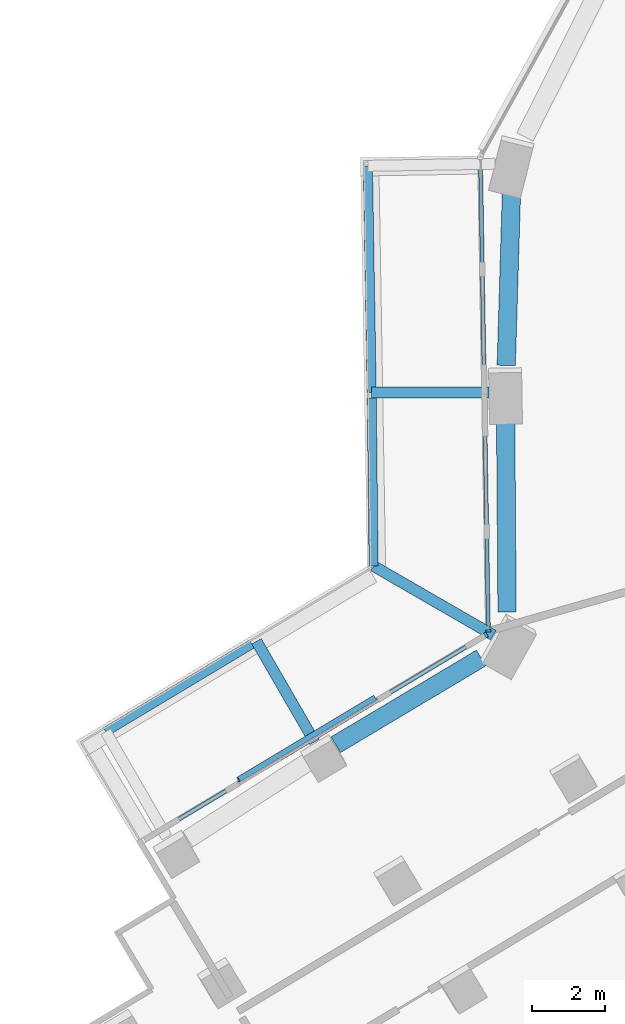
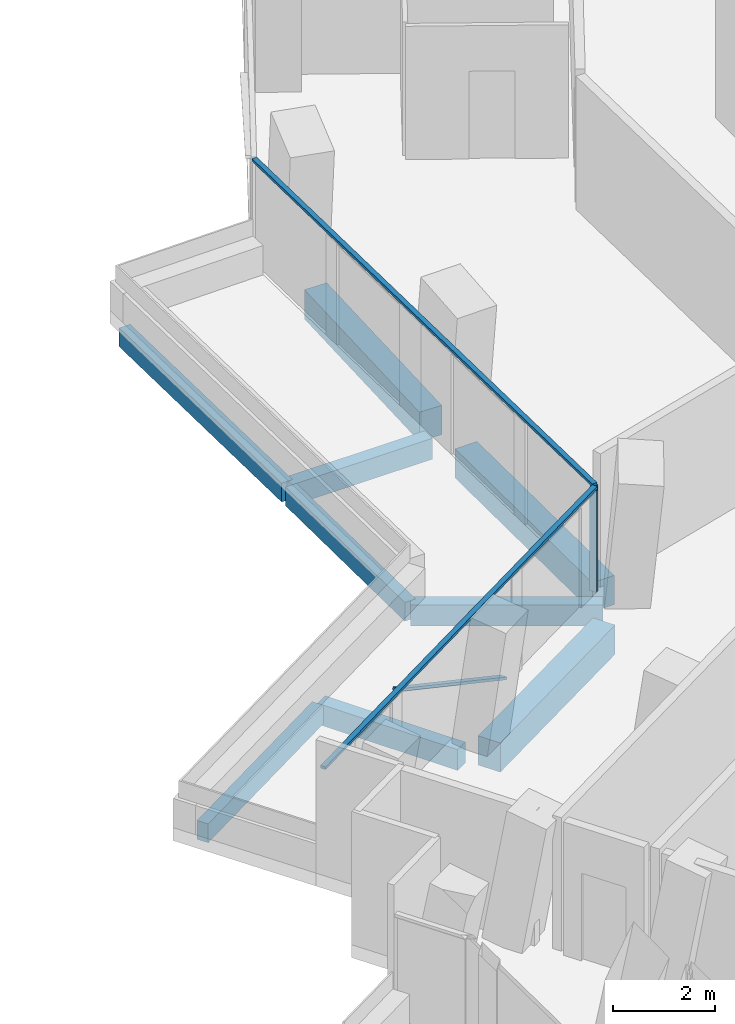
# One storey, part 4 of 25: 9 beams, 5 members, 2 elements without a shape of their own.
"""IFC4 building model written with IfcOpenShell, lengths in metres."""

from ifc_helpers import new_model, si_unit, direction, frame, origin, origin_2d, place, context, subcontext, project, spatial, rectangle, extrude, material, layer, layer_set, material_profile, profile_set, type_object, element, aggregate, save


model = new_model("IFC4")

# Units and contexts
model_context = context("Model", 3, precision=1e-05, world=origin(), true_north=direction((0.0, 1.0)))
body_context = subcontext(model_context, "Body", "Model", "MODEL_VIEW")
ifc_project = project(units=[si_unit("LENGTHUNIT", "METRE"), si_unit("AREAUNIT", "SQUARE_METRE"), si_unit("VOLUMEUNIT", "CUBIC_METRE"), si_unit("PLANEANGLEUNIT", "RADIAN"), si_unit("MASSUNIT", "GRAM", prefix="KILO")], contexts=[model_context])

# Site, building, storey
site_placement = place(None, origin())
site = spatial("IfcSite", under=ifc_project, at=site_placement, CompositionType="ELEMENT")
building_placement = place(site_placement, origin())
building = spatial("IfcBuilding", under=site, at=building_placement, Name="Verdalira Terraces Hotel", CompositionType="ELEMENT")
storey_placement = place(building_placement, frame((0.0, 0.0, 39.0)))
storey = spatial("IfcBuildingStorey", under=building, at=storey_placement, Name="L07", CompositionType="ELEMENT", Elevation=39.0)

# Beams
ifc_material_1 = material(Name="Concrete C40", Category="concrete")
ifc_material_profile_1 = material_profile(ifc_material_1, rectangle(XDim=0.300049, YDim=0.5, at=origin_2d()), Name="RC 300X500")
ifc_profile_set_1 = profile_set([ifc_material_profile_1], Name="Concrete C40")
beam_type_1 = type_object("IfcBeamType", Name="Balcony cantilever beam RC 300X500 C40", PredefinedType="BEAM", material=ifc_profile_set_1)
beam_1_placement = place(storey_placement, frame((-28.814941, -9.903809, -0.560059), z_axis=(-0.500015803, 0.86601628, 0.0), x_axis=(-0.86601628, -0.500015803, 0.0)))
element("IfcBeam", 1, at=beam_1_placement, inside=storey, type_object=beam_type_1, Name="Balcony cantilever beam R13-1", PredefinedType="BEAM", context=body_context, shape_type="SweptSolid", body=[
    extrude(rectangle(XDim=0.300049, YDim=0.5, at=origin_2d()), origin(), (0.0, 0.0, 1.0), 3.169922),
])
beam_2_placement = place(storey_placement, frame((-24.055176, -0.371094, -0.560059), z_axis=(-1.0, 0.0, 0.0), x_axis=(0.0, -1.0, 0.0)))
element("IfcBeam", 2, at=beam_2_placement, inside=storey, type_object=beam_type_1, Name="Balcony cantilever beam R13-4", PredefinedType="BEAM", context=body_context, shape_type="SweptSolid", body=[
    extrude(rectangle(XDim=0.300049, YDim=0.5, at=origin_2d()), origin(), (0.0, 0.0, 1.0), 3.200928),
])
beam_3_placement = place(storey_placement, frame((-23.937256, -6.992188, -0.560059), z_axis=(-0.866048751, 0.499959559, 0.0), x_axis=(-0.499959559, -0.866048751, 0.0)))
element("IfcBeam", 3, at=beam_3_placement, inside=storey, type_object=beam_type_1, Name="Balcony cantilever beam R13-5", PredefinedType="BEAM", context=body_context, shape_type="SweptSolid", body=[
    extrude(rectangle(XDim=0.300049, YDim=0.5, at=origin_2d()), origin(), (0.0, 0.0, 1.0), 3.773193),
])
ifc_material_2 = material(Name="Concrete C40", Category="concrete")
ifc_material_profile_2 = material_profile(ifc_material_2, rectangle(XDim=0.25, YDim=0.449951, at=origin_2d()), Name="RC 250X450")
ifc_profile_set_2 = profile_set([ifc_material_profile_2], Name="Concrete C40")
beam_type_2 = type_object("IfcBeamType", Name="Balcony edge beam RC 250X450 C40", PredefinedType="BEAM", material=ifc_profile_set_2)
beam_4_placement = place(storey_placement, frame((-30.52832, -7.23584, -0.534912), z_axis=(-0.857520739, -0.514449398, 0.0), x_axis=(0.514449398, -0.857520739, 0.0)))
element("IfcBeam", 4, at=beam_4_placement, inside=storey, type_object=beam_type_2, Name="Balcony edge beam R13-1", PredefinedType="BEAM", context=body_context, shape_type="SweptSolid", body=[
    extrude(rectangle(XDim=0.25, YDim=0.449951, at=origin_2d()), origin(), (0.0, 0.0, 1.0), 4.646973),
])
beam_5_placement = place(storey_placement, frame((-27.359619, 5.817383, -0.534912), z_axis=(0.016724818, -0.99986013, 0.0), x_axis=(0.99986013, 0.016724818, 0.0)))
element("IfcBeam", 5, at=beam_5_placement, inside=storey, type_object=beam_type_2, Name="Balcony edge beam R13-2", PredefinedType="BEAM", context=body_context, shape_type="SweptSolid", body=[
    extrude(rectangle(XDim=0.25, YDim=0.449951, at=origin_2d()), origin(), (0.0, 0.0, 1.0), 6.189453),
])
beam_6_placement = place(storey_placement, frame((-27.254395, -0.520996, -0.534912), z_axis=(0.010756074, -0.999942152, 0.0), x_axis=(0.999942152, 0.010756074, 0.0)))
element("IfcBeam", 6, at=beam_6_placement, inside=storey, type_object=beam_type_2, Name="Balcony edge beam R13-3", PredefinedType="BEAM", context=body_context, shape_type="SweptSolid", body=[
    extrude(rectangle(XDim=0.25, YDim=0.449951, at=origin_2d()), origin(), (0.0, 0.0, 1.0), 4.584961),
])

# Curtain wall, members
ifc_material_3 = material(Name="Clear glass", Category="glass")
ifc_layer_1 = layer(ifc_material_3, 0.14990234375)
ifc_layer_set_1 = layer_set([ifc_layer_1], Name="CW1 curtain wall")
curtain_wall_type_1 = type_object("IfcCurtainWallType", Name="CW1 curtain wall", PredefinedType="NOTDEFINED", material=ifc_layer_set_1)
curtain_wall_1_placement = place(storey_placement, origin())
curtain_wall_1 = element("IfcCurtainWall", 7, at=curtain_wall_1_placement, inside=storey, type_object=curtain_wall_type_1, Name="CW1 curtain wall L07 edge 13", PredefinedType="NOTDEFINED")
ifc_material_4 = material(Name="Terracotta frame", Category="masonry")
ifc_material_profile_3 = material_profile(ifc_material_4, rectangle(XDim=0.060059, YDim=0.149902, at=origin_2d()), Name="MU 60x150")
ifc_profile_set_3 = profile_set([ifc_material_profile_3], Name="Terracotta frame")
member_type_1 = type_object("IfcMemberType", Name="CW1 mullion 60x150", PredefinedType="MULLION", material=ifc_profile_set_3)
member_1_placement = place(storey_placement, frame((-24.071533, -6.874268, 0.0), z_axis=(0.0, 0.0, 1.0), x_axis=(0.016754377, -0.999859636, 0.0)))
member_1 = element("IfcMember", 8, at=member_1_placement, type_object=member_type_1, Name="CW1 mullion", PredefinedType="MULLION", context=body_context, shape_type="SweptSolid", body=[
    extrude(rectangle(XDim=0.060059, YDim=0.149902, at=origin_2d()), origin(), (0.0, 0.0, 1.0), 2.425049),
])
ifc_material_5 = material(Name="Terracotta frame", Category="masonry")
ifc_material_profile_4 = material_profile(ifc_material_5, rectangle(XDim=0.110107, YDim=0.064941, at=origin_2d()), Name="TR 65x110")
ifc_profile_set_4 = profile_set([ifc_material_profile_4], Name="Terracotta frame")
member_type_2 = type_object("IfcMemberType", Name="CW1 transom 65x110", PredefinedType="USERDEFINED", material=ifc_profile_set_4)
member_2_placement = place(storey_placement, frame((-24.288086, 6.053711, 2.45752), z_axis=(0.016747218, -0.999859756, 0.0), x_axis=(0.999859756, 0.016747218, 0.0)))
member_2 = element("IfcMember", 9, at=member_2_placement, type_object=member_type_2, Name="CW1 transom", ObjectType="TRANSOM", PredefinedType="USERDEFINED", context=body_context, shape_type="SweptSolid", body=[
    extrude(rectangle(XDim=0.110107, YDim=0.064941, at=origin_2d()), origin(), (0.0, 0.0, 1.0), 12.959717),
])
aggregate(curtain_wall_1, [member_1, member_2])

ifc_material_6 = material(Name="Clear glass", Category="glass")
ifc_layer_2 = layer(ifc_material_6, 0.14990234375)
ifc_layer_set_2 = layer_set([ifc_layer_2], Name="CW2 curtain wall")
curtain_wall_type_2 = type_object("IfcCurtainWallType", Name="CW2 curtain wall", PredefinedType="NOTDEFINED", material=ifc_layer_set_2)
curtain_wall_2_placement = place(storey_placement, origin())
curtain_wall_2 = element("IfcCurtainWall", 10, at=curtain_wall_2_placement, inside=storey, type_object=curtain_wall_type_2, Name="CW2 curtain wall L07 edge 14", PredefinedType="NOTDEFINED")
ifc_material_7 = material(Name="Terracotta frame", Category="masonry")
ifc_material_profile_5 = material_profile(ifc_material_7, rectangle(XDim=0.070068, YDim=0.149902, at=origin_2d()), Name="MU 70x150")
ifc_profile_set_5 = profile_set([ifc_material_profile_5], Name="Terracotta frame")
member_type_3 = type_object("IfcMemberType", Name="CW2 mullion 70x150", PredefinedType="MULLION", material=ifc_profile_set_5)
member_3_placement = place(storey_placement, frame((-24.137451, -6.987793, 0.0), z_axis=(0.0, 0.0, 1.0), x_axis=(-0.857526656, -0.514439534, 0.0)))
member_3 = element("IfcMember", 11, at=member_3_placement, type_object=member_type_3, Name="CW2 mullion", PredefinedType="MULLION", context=body_context, shape_type="SweptSolid", body=[
    extrude(rectangle(XDim=0.070068, YDim=0.149902, at=origin_2d()), origin(), (0.0, 0.0, 1.0), 2.425049),
])
ifc_material_8 = material(Name="Terracotta frame", Category="masonry")
ifc_material_profile_6 = material_profile(ifc_material_8, rectangle(XDim=0.11499, YDim=0.064941, at=origin_2d()), Name="TR 65x115")
ifc_profile_set_6 = profile_set([ifc_material_profile_6], Name="Terracotta frame")
member_type_4 = type_object("IfcMemberType", Name="CW2 transom 65x115", PredefinedType="USERDEFINED", material=ifc_profile_set_6)
member_4_placement = place(storey_placement, frame((-24.107422, -6.969727, 2.45752), z_axis=(-0.85752828, -0.514436827, 0.0), x_axis=(0.514436827, -0.85752828, 0.0)))
member_4 = element("IfcMember", 12, at=member_4_placement, type_object=member_type_4, Name="CW2 transom", ObjectType="TRANSOM", PredefinedType="USERDEFINED", context=body_context, shape_type="SweptSolid", body=[
    extrude(rectangle(XDim=0.11499, YDim=0.064941, at=origin_2d()), origin(), (0.0, 0.0, 1.0), 10.967041),
])
ifc_material_9 = material(Name="Terracotta frame", Category="masonry")
ifc_material_profile_7 = material_profile(ifc_material_9, rectangle(XDim=0.149902, YDim=0.060059, at=origin_2d()), Name="GB 60x150")
ifc_profile_set_7 = profile_set([ifc_material_profile_7], Name="Terracotta frame")
member_type_5 = type_object("IfcMemberType", Name="Diagonal glazing bar 60x150", PredefinedType="USERDEFINED", material=ifc_profile_set_7)
member_5_placement = place(storey_placement, frame((-27.174316, -8.703613, 0.027344), z_axis=(-0.752398511, -0.451379812, 0.479742375), x_axis=(0.514446064, -0.857522739, 0.0)))
member_5 = element("IfcMember", 13, at=member_5_placement, type_object=member_type_5, Name="Diagonal glazing bar", ObjectType="GLAZING BAR", PredefinedType="USERDEFINED", context=body_context, shape_type="SweptSolid", body=[
    extrude(rectangle(XDim=0.149902, YDim=0.060059, at=origin_2d()), origin(), (0.0, 0.0, 1.0), 4.940918),
])
aggregate(curtain_wall_2, [member_3, member_4, member_5])

# Beams
ifc_material_10 = material(Name="Concrete C70", Category="concrete")
ifc_material_profile_8 = material_profile(ifc_material_10, rectangle(XDim=0.5, YDim=0.699951, at=origin_2d()), Name="RC 500X700")
ifc_profile_set_8 = profile_set([ifc_material_profile_8], Name="Concrete C70")
beam_type_3 = type_object("IfcBeamType", Name="Spandrel beam RC 500X700 C70", PredefinedType="SPANDREL", material=ifc_profile_set_8)
beam_7_placement = place(storey_placement, frame((-23.440186, 5.126465, -0.659912), z_axis=(-0.030216129, -0.999543389, 0.0), x_axis=(0.999543389, -0.030216129, 0.0)))
element("IfcBeam", 14, at=beam_7_placement, inside=storey, type_object=beam_type_3, Name="Spandrel beam B12", PredefinedType="SPANDREL", context=body_context, shape_type="SweptSolid", body=[
    extrude(rectangle(XDim=0.5, YDim=0.699951, at=origin_2d()), origin(), (0.0, 0.0, 1.0), 4.759033),
])
beam_8_placement = place(storey_placement, frame((-23.600342, -1.046631, -0.659912), z_axis=(0.007216212, -0.999973963, 0.0), x_axis=(0.999973963, 0.007216212, 0.0)))
element("IfcBeam", 15, at=beam_8_placement, inside=storey, type_object=beam_type_3, Name="Spandrel beam B13", PredefinedType="SPANDREL", context=body_context, shape_type="SweptSolid", body=[
    extrude(rectangle(XDim=0.5, YDim=0.699951, at=origin_2d()), origin(), (0.0, 0.0, 1.0), 5.311768),
])
beam_9_placement = place(storey_placement, frame((-24.269043, -7.615234, -0.659912), z_axis=(-0.858642439, -0.51257503, 0.0), x_axis=(0.51257503, -0.858642439, 0.0)))
element("IfcBeam", 16, at=beam_9_placement, inside=storey, type_object=beam_type_3, Name="Spandrel beam B14", PredefinedType="SPANDREL", context=body_context, shape_type="SweptSolid", body=[
    extrude(rectangle(XDim=0.5, YDim=0.699951, at=origin_2d()), origin(), (0.0, 0.0, 1.0), 4.620117),
])

save(model, "model.ifc")
